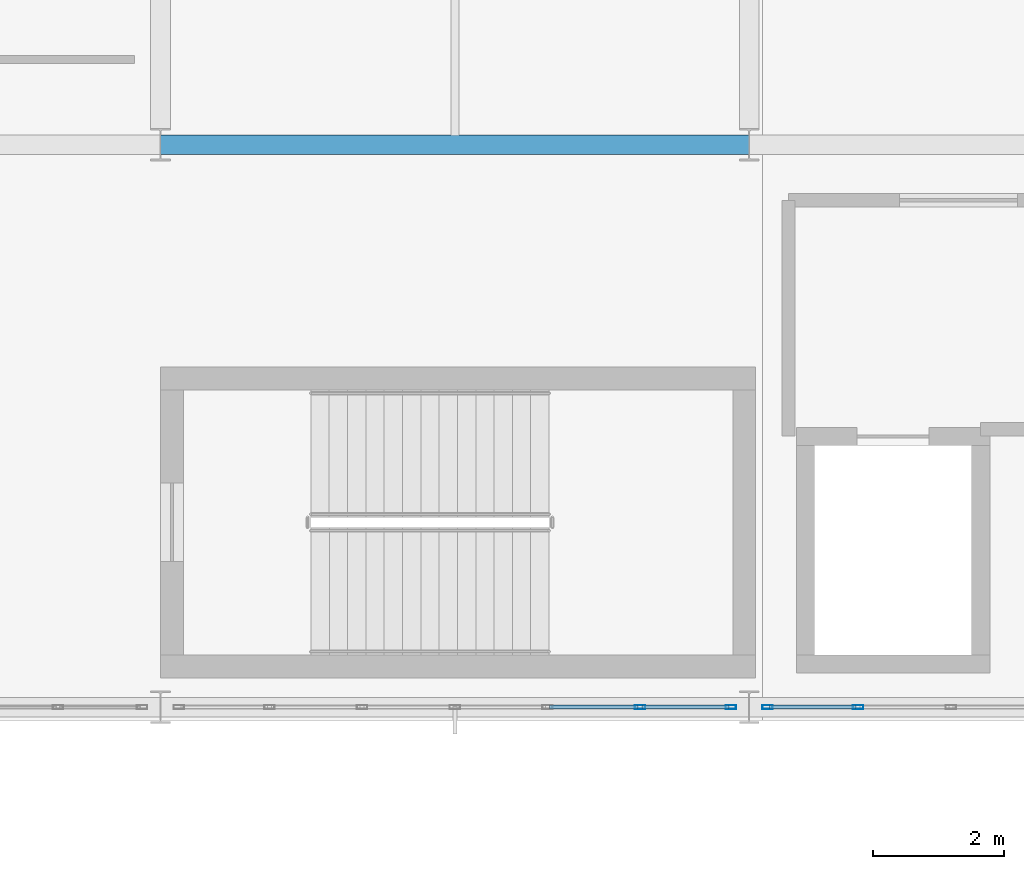
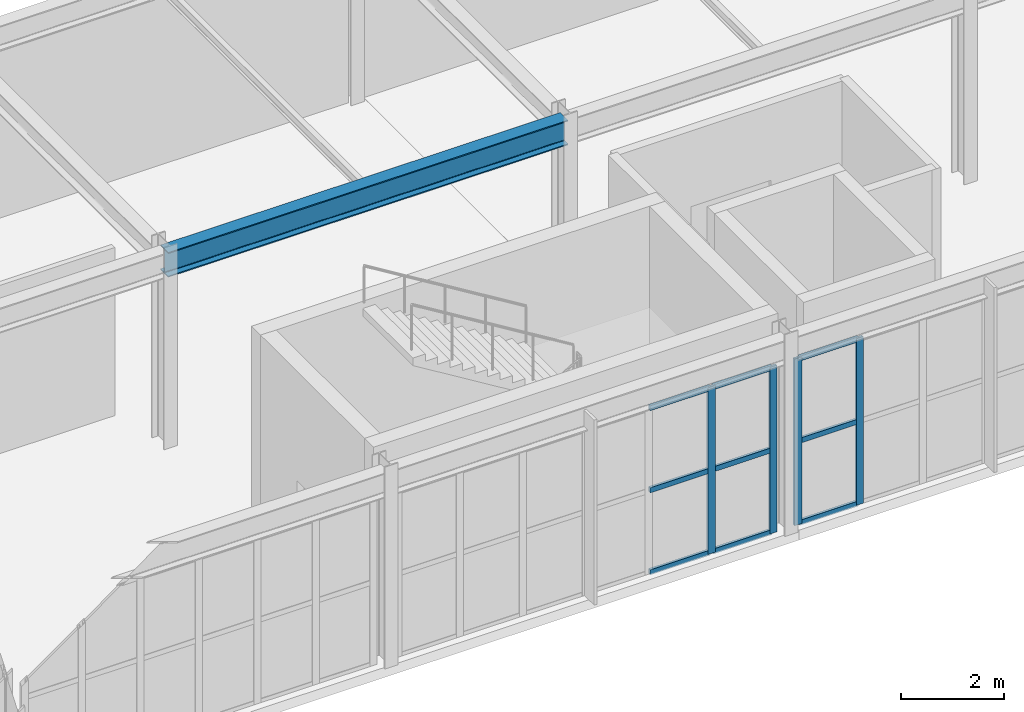
# One storey, part 28 of 112: 13 members, 1 beam, 2 elements without a shape of their own.
"""IFC4 building model written with IfcOpenShell, lengths in metres."""

from ifc_helpers import new_model, si_unit, direction, frame, origin, origin_2d, place, context, subcontext, project, spatial, hollow_rectangle, i_section, extrude, material, material_profile, profile_set, type_object, element, aggregate, save


model = new_model("IFC4")

# Units and contexts
model_context = context("Model", 3, precision=1e-05, world=origin(), true_north=direction((0.0, 1.0)))
body_context = subcontext(model_context, "Body", "Model", "MODEL_VIEW")
ifc_project = project(units=[si_unit("LENGTHUNIT", "METRE"), si_unit("AREAUNIT", "SQUARE_METRE"), si_unit("VOLUMEUNIT", "CUBIC_METRE"), si_unit("PLANEANGLEUNIT", "RADIAN"), si_unit("MASSUNIT", "GRAM", prefix="KILO")], contexts=[model_context])

# Site, building, storey
site_placement = place(None, origin())
site = spatial("IfcSite", under=ifc_project, at=site_placement, CompositionType="ELEMENT")
building_placement = place(site_placement, origin())
building = spatial("IfcBuilding", under=site, at=building_placement, Name="Kaldris Quays Convention Centre", CompositionType="ELEMENT")
storey_placement = place(building_placement, frame((0.0, 0.0, 16.800048828125)))
storey = spatial("IfcBuildingStorey", under=building, at=storey_placement, Name="L03", CompositionType="ELEMENT", Elevation=16.800048828125)

# Curtain wall, members
ifc_material_1 = material(Name="Anodized aluminium AW-6060 and triple glazing", Category="aluminium")
curtain_wall_type = type_object("IfcCurtainWallType", Name="UNITISED CURTAIN WALL CW04", PredefinedType="NOTDEFINED", material=ifc_material_1)
curtain_wall_1_placement = place(storey_placement, origin())
curtain_wall_1 = element("IfcCurtainWall", 1, at=curtain_wall_1_placement, inside=storey, type_object=curtain_wall_type, Name="L03 Unitised Curtain Wall CW04 122", PredefinedType="NOTDEFINED")
ifc_material_2 = material(Name="Anodized aluminium AW-6060", Category="aluminium")
ifc_material_profile_1 = material_profile(ifc_material_2, hollow_rectangle(XDim=0.06005859375, YDim=0.159912109375, WallThickness=0.00390625, at=origin_2d()), Name="RHS 160x60x4")
ifc_profile_set_1 = profile_set([ifc_material_profile_1], Name="Anodized aluminium AW-6060")
member_type_1 = type_object("IfcMemberType", Name="CURTAIN MULLION CWM1", PredefinedType="MULLION", material=ifc_profile_set_1)
member_1_placement = place(storey_placement, frame((99.333251953125, 38.0, 0.0), z_axis=(0.0, 0.0, 1.0), x_axis=(0.0, 1.0, 0.0)))
member_1 = element("IfcMember", 2, at=member_1_placement, type_object=member_type_1, Name="CW04 mullion 6", PredefinedType="MULLION", context=body_context, shape_type="SweptSolid", body=[
    extrude(hollow_rectangle(XDim=0.06005859375, YDim=0.159912109375, WallThickness=0.00390625, at=origin_2d()), origin(), (0.0, 0.0, 1.0), 3.96484375),
])
member_2_placement = place(storey_placement, frame((100.719970703125, 38.0, 0.0), z_axis=(0.0, 0.0, 1.0), x_axis=(0.0, 1.0, 0.0)))
member_2 = element("IfcMember", 3, at=member_2_placement, type_object=member_type_1, Name="CW04 mullion 7", PredefinedType="MULLION", context=body_context, shape_type="SweptSolid", body=[
    extrude(hollow_rectangle(XDim=0.06005859375, YDim=0.159912109375, WallThickness=0.00390625, at=origin_2d()), origin(), (0.0, 0.0, 1.0), 3.96484375),
])

curtain_wall_2_placement = place(storey_placement, origin())
curtain_wall_2 = element("IfcCurtainWall", 4, at=curtain_wall_2_placement, inside=storey, type_object=curtain_wall_type, Name="L03 Unitised Curtain Wall CW04 123", PredefinedType="NOTDEFINED")
member_3_placement = place(storey_placement, frame((101.280029296875, 38.0, 0.0), z_axis=(0.0, 0.0, 1.0), x_axis=(0.0, 1.0, 0.0)))
member_3 = element("IfcMember", 5, at=member_3_placement, type_object=member_type_1, Name="CW04 mullion 1", PredefinedType="MULLION", context=body_context, shape_type="SweptSolid", body=[
    extrude(hollow_rectangle(XDim=0.06005859375, YDim=0.159912109375, WallThickness=0.00390625, at=origin_2d()), origin(), (0.0, 0.0, 1.0), 3.96484375),
])
member_4_placement = place(storey_placement, frame((102.666748046875, 38.0, 0.0), z_axis=(0.0, 0.0, 1.0), x_axis=(0.0, 1.0, 0.0)))
member_4 = element("IfcMember", 6, at=member_4_placement, type_object=member_type_1, Name="CW04 mullion 2", PredefinedType="MULLION", context=body_context, shape_type="SweptSolid", body=[
    extrude(hollow_rectangle(XDim=0.06005859375, YDim=0.159912109375, WallThickness=0.00390625, at=origin_2d()), origin(), (0.0, 0.0, 1.0), 3.96484375),
])

# Member
ifc_material_profile_2 = material_profile(ifc_material_2, hollow_rectangle(XDim=0.06005859375, YDim=0.1201171875, WallThickness=0.00390625, at=origin_2d()), Name="RHS 120x60x4")
ifc_profile_set_2 = profile_set([ifc_material_profile_2], Name="Anodized aluminium AW-6060")
member_type_2 = type_object("IfcMemberType", Name="CURTAIN TRANSOM CWT1", PredefinedType="USERDEFINED", material=ifc_profile_set_2)
member_5_placement = place(storey_placement, frame((97.94677734375, 38.0, 0.030029296875), z_axis=(1.0, 0.0, 0.0), x_axis=(0.0, 1.0, 0.0)))
member_5 = element("IfcMember", 7, at=member_5_placement, type_object=member_type_2, Name="CW04 transom 5.1", ObjectType="TRANSOM", PredefinedType="USERDEFINED", context=body_context, shape_type="SweptSolid", body=[
    extrude(hollow_rectangle(XDim=0.06005859375, YDim=0.1201171875, WallThickness=0.00390625, at=origin_2d()), origin(), (0.0, 0.0, 1.0), 1.3564453125),
])

member_6_placement = place(storey_placement, frame((97.94677734375, 38.0, 1.98193359375), z_axis=(1.0, 0.0, 0.0), x_axis=(0.0, 1.0, 0.0)))
member_6 = element("IfcMember", 8, at=member_6_placement, type_object=member_type_2, Name="CW04 transom 5.2", ObjectType="TRANSOM", PredefinedType="USERDEFINED", context=body_context, shape_type="SweptSolid", body=[
    extrude(hollow_rectangle(XDim=0.06005859375, YDim=0.1201171875, WallThickness=0.00390625, at=origin_2d()), origin(), (0.0, 0.0, 1.0), 1.3564453125),
])

member_7_placement = place(storey_placement, frame((97.94677734375, 38.0, 3.93505859375), z_axis=(1.0, 0.0, 0.0), x_axis=(0.0, 1.0, 0.0)))
member_7 = element("IfcMember", 9, at=member_7_placement, type_object=member_type_2, Name="CW04 transom 5.3", ObjectType="TRANSOM", PredefinedType="USERDEFINED", context=body_context, shape_type="SweptSolid", body=[
    extrude(hollow_rectangle(XDim=0.06005859375, YDim=0.1201171875, WallThickness=0.00390625, at=origin_2d()), origin(), (0.0, 0.0, 1.0), 1.3564453125),
])

member_8_placement = place(storey_placement, frame((99.36328125, 38.0, 0.030029296875), z_axis=(1.0, 0.0, 0.0), x_axis=(0.0, 1.0, 0.0)))
member_8 = element("IfcMember", 10, at=member_8_placement, type_object=member_type_2, Name="CW04 transom 6.1", ObjectType="TRANSOM", PredefinedType="USERDEFINED", context=body_context, shape_type="SweptSolid", body=[
    extrude(hollow_rectangle(XDim=0.06005859375, YDim=0.1201171875, WallThickness=0.00390625, at=origin_2d()), origin(), (0.0, 0.0, 1.0), 1.32666015625),
])

member_9_placement = place(storey_placement, frame((99.36328125, 38.0, 1.98193359375), z_axis=(1.0, 0.0, 0.0), x_axis=(0.0, 1.0, 0.0)))
member_9 = element("IfcMember", 11, at=member_9_placement, type_object=member_type_2, Name="CW04 transom 6.2", ObjectType="TRANSOM", PredefinedType="USERDEFINED", context=body_context, shape_type="SweptSolid", body=[
    extrude(hollow_rectangle(XDim=0.06005859375, YDim=0.1201171875, WallThickness=0.00390625, at=origin_2d()), origin(), (0.0, 0.0, 1.0), 1.32666015625),
])

member_10_placement = place(storey_placement, frame((99.36328125, 38.0, 3.93505859375), z_axis=(1.0, 0.0, 0.0), x_axis=(0.0, 1.0, 0.0)))
member_10 = element("IfcMember", 12, at=member_10_placement, type_object=member_type_2, Name="CW04 transom 6.3", ObjectType="TRANSOM", PredefinedType="USERDEFINED", context=body_context, shape_type="SweptSolid", body=[
    extrude(hollow_rectangle(XDim=0.06005859375, YDim=0.1201171875, WallThickness=0.00390625, at=origin_2d()), origin(), (0.0, 0.0, 1.0), 1.32666015625),
])

aggregate(curtain_wall_1, [member_1, member_2, member_5, member_6, member_7, member_8, member_9, member_10])

member_11_placement = place(storey_placement, frame((101.31005859375, 38.0, 0.030029296875), z_axis=(1.0, 0.0, 0.0), x_axis=(0.0, 1.0, 0.0)))
member_11 = element("IfcMember", 13, at=member_11_placement, type_object=member_type_2, Name="CW04 transom 1.1", ObjectType="TRANSOM", PredefinedType="USERDEFINED", context=body_context, shape_type="SweptSolid", body=[
    extrude(hollow_rectangle(XDim=0.06005859375, YDim=0.1201171875, WallThickness=0.00390625, at=origin_2d()), origin(), (0.0, 0.0, 1.0), 1.32666015625),
])

member_12_placement = place(storey_placement, frame((101.31005859375, 38.0, 1.98193359375), z_axis=(1.0, 0.0, 0.0), x_axis=(0.0, 1.0, 0.0)))
member_12 = element("IfcMember", 14, at=member_12_placement, type_object=member_type_2, Name="CW04 transom 1.2", ObjectType="TRANSOM", PredefinedType="USERDEFINED", context=body_context, shape_type="SweptSolid", body=[
    extrude(hollow_rectangle(XDim=0.06005859375, YDim=0.1201171875, WallThickness=0.00390625, at=origin_2d()), origin(), (0.0, 0.0, 1.0), 1.32666015625),
])

member_13_placement = place(storey_placement, frame((101.31005859375, 38.0, 3.93505859375), z_axis=(1.0, 0.0, 0.0), x_axis=(0.0, 1.0, 0.0)))
member_13 = element("IfcMember", 15, at=member_13_placement, type_object=member_type_2, Name="CW04 transom 1.3", ObjectType="TRANSOM", PredefinedType="USERDEFINED", context=body_context, shape_type="SweptSolid", body=[
    extrude(hollow_rectangle(XDim=0.06005859375, YDim=0.1201171875, WallThickness=0.00390625, at=origin_2d()), origin(), (0.0, 0.0, 1.0), 1.32666015625),
])

aggregate(curtain_wall_2, [member_3, member_4, member_11, member_12, member_13])

# Beam
ifc_material_3 = material(Name="Steel S355J2", Category="steel")
ifc_material_profile_3 = material_profile(ifc_material_3, i_section(OverallWidth=0.300048828125, OverallDepth=0.590087890625, WebThickness=0.012939453125, FlangeThickness=0.02490234375, FilletRadius=0.027099609375, at=origin_2d()), Name="HEA 600")
ifc_profile_set_3 = profile_set([ifc_material_profile_3], Name="Steel S355J2")
beam_type = type_object("IfcBeamType", Name="STRUCTURAL BEAM BM08", PredefinedType="BEAM", material=ifc_profile_set_3)
beam_placement = place(storey_placement, frame((92.001220703125, 46.60009765625, 4.284912109375), z_axis=(1.0, 0.0, 0.0), x_axis=(0.0, 1.0, 0.0)))
element("IfcBeam", 16, at=beam_placement, inside=storey, type_object=beam_type, Name="L03 Girder BM08 11", PredefinedType="BEAM", context=body_context, shape_type="SweptSolid", body=[
    extrude(i_section(OverallWidth=0.300048828125, OverallDepth=0.590087890625, WebThickness=0.012939453125, FlangeThickness=0.02490234375, FilletRadius=0.027099609375, at=origin_2d()), origin(), (0.0, 0.0, 1.0), 8.99755859375),
])

save(model, "model.ifc")
